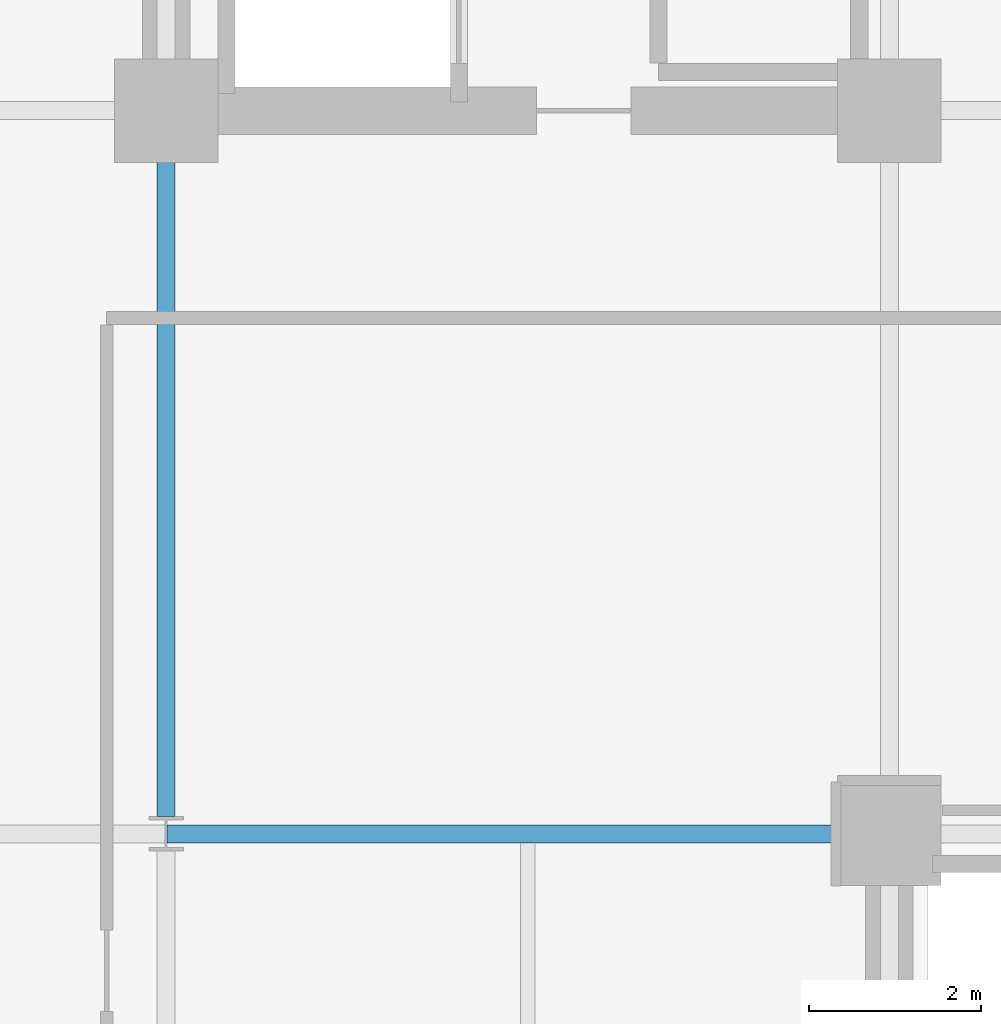
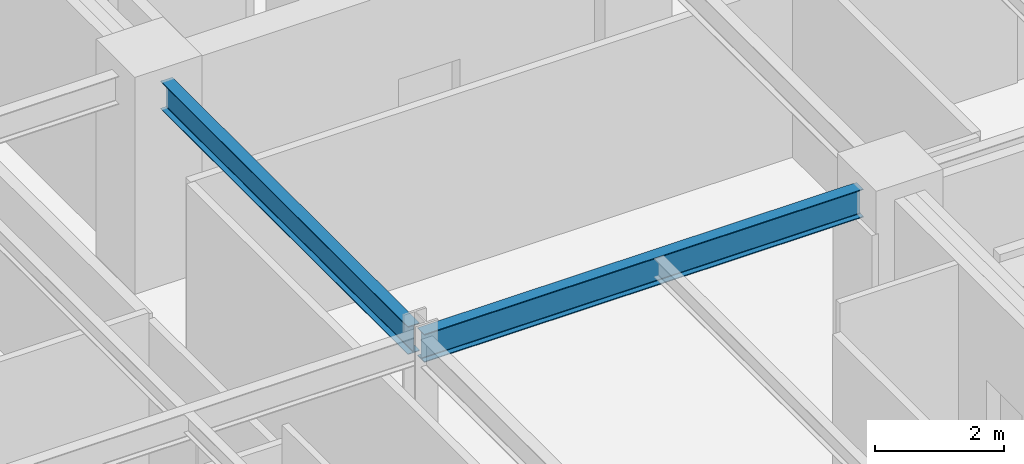
# One storey, part 9 of 30: 2 beams.
"""IFC4 building model written with IfcOpenShell, lengths in metres."""

from ifc_helpers import new_model, si_unit, direction, frame, origin, origin_2d, place, context, subcontext, project, spatial, i_section, extrude, material, material_profile, profile_set, type_object, element, save


model = new_model("IFC4")

# Units and contexts
model_context = context("Model", 3, precision=1e-05, world=origin(), true_north=direction((0.0, 1.0)))
body_context = subcontext(model_context, "Body", "Model", "MODEL_VIEW")
ifc_project = project(units=[si_unit("LENGTHUNIT", "METRE"), si_unit("AREAUNIT", "SQUARE_METRE"), si_unit("VOLUMEUNIT", "CUBIC_METRE"), si_unit("PLANEANGLEUNIT", "RADIAN"), si_unit("MASSUNIT", "GRAM", prefix="KILO")], contexts=[model_context])

# Site, building, storey
site_placement = place(None, origin())
site = spatial("IfcSite", under=ifc_project, at=site_placement, CompositionType="ELEMENT")
building_placement = place(site_placement, origin())
building = spatial("IfcBuilding", under=site, at=building_placement, Name="Nerrivon Quay Data Exchange", CompositionType="ELEMENT")
storey_placement = place(building_placement, frame((0.0, 0.0, 141.800048828125)))
storey = spatial("IfcBuildingStorey", under=building, at=storey_placement, Name="L33", CompositionType="ELEMENT", Elevation=141.800048828125)

# Beams
ifc_material = material(Name="Steel Grade 350", Category="steel")
ifc_material_profile_1 = material_profile(ifc_material, i_section(OverallWidth=0.208984375, OverallDepth=0.532958984375, WebThickness=0.01025390625, FlangeThickness=0.015625, FilletRadius=0.013916015625, at=origin_2d()), Name="530UB92.4")
ifc_profile_set_1 = profile_set([ifc_material_profile_1], Name="Steel Grade 350")
beam_type_1 = type_object("IfcBeamType", Name="BM-G3-530UB92", PredefinedType="BEAM", material=ifc_profile_set_1)
beam_1_placement = place(storey_placement, frame((8.41259765625, 16.800048828125, 3.558349609375), z_axis=(1.0, 0.0, 0.0), x_axis=(0.0, 1.0, 0.0)))
element("IfcBeam", 1, at=beam_1_placement, inside=storey, type_object=beam_type_1, Name="L33 EW Girder Y=16.8 (8.4..16.8)", PredefinedType="BEAM", context=body_context, shape_type="SweptSolid", body=[
    extrude(i_section(OverallWidth=0.208984375, OverallDepth=0.532958984375, WebThickness=0.01025390625, FlangeThickness=0.015625, FilletRadius=0.013916015625, at=origin_2d()), origin(), (0.0, 0.0, 1.0), 7.847412109375),
])
ifc_material_profile_2 = material_profile(ifc_material, i_section(OverallWidth=0.208984375, OverallDepth=0.528076171875, WebThickness=0.009521484375, FlangeThickness=0.01318359375, FilletRadius=0.013916015625, at=origin_2d()), Name="530UB82.0")
ifc_profile_set_2 = profile_set([ifc_material_profile_2], Name="Steel Grade 350")
beam_type_2 = type_object("IfcBeamType", Name="BM-G4-530UB82", PredefinedType="BEAM", material=ifc_profile_set_2)
beam_2_placement = place(storey_placement, frame((8.39990234375, 17.0, 3.56103515625), z_axis=(0.0, 1.0, 0.0), x_axis=(-1.0, 0.0, 0.0)))
element("IfcBeam", 2, at=beam_2_placement, inside=storey, type_object=beam_type_2, Name="L33 NS Girder X=8.4 (16.8..25.2)", PredefinedType="BEAM", context=body_context, shape_type="SweptSolid", body=[
    extrude(i_section(OverallWidth=0.208984375, OverallDepth=0.528076171875, WebThickness=0.009521484375, FlangeThickness=0.01318359375, FilletRadius=0.013916015625, at=origin_2d()), origin(), (0.0, 0.0, 1.0), 7.659912109375),
])

save(model, "model.ifc")
